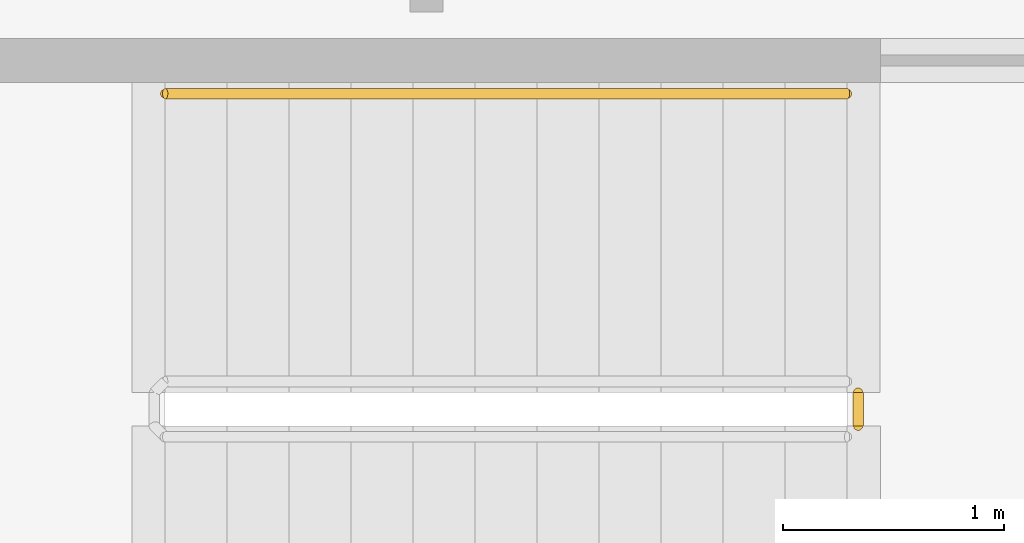
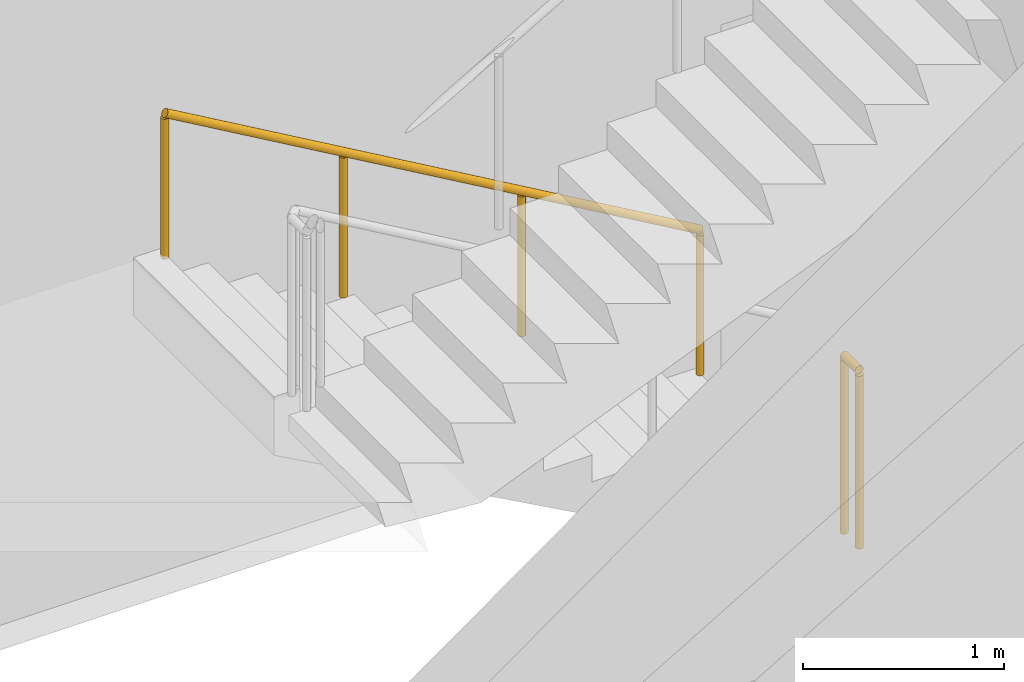
# One storey, part 20 of 23: 2 railings.
"""IFC4 building model written with IfcOpenShell, lengths in metres."""

from ifc_helpers import new_model, si_unit, direction, frame, origin, origin_2d, place, context, subcontext, project, spatial, circle, extrude, material, type_object, element, save


model = new_model("IFC4")

# Units and contexts
model_context = context("Model", 3, precision=1e-05, world=origin(), true_north=direction((0.0, 1.0)))
body_context = subcontext(model_context, "Body", "Model", "MODEL_VIEW")
ifc_project = project(units=[si_unit("LENGTHUNIT", "METRE"), si_unit("AREAUNIT", "SQUARE_METRE"), si_unit("VOLUMEUNIT", "CUBIC_METRE"), si_unit("PLANEANGLEUNIT", "RADIAN"), si_unit("MASSUNIT", "GRAM", prefix="KILO")], contexts=[model_context])

# Site, building, storey
site_placement = place(None, origin())
site = spatial("IfcSite", under=ifc_project, at=site_placement, CompositionType="ELEMENT")
building_placement = place(site_placement, origin())
building = spatial("IfcBuilding", under=site, at=building_placement, Name="Kheshtan School and Residences Tower", CompositionType="ELEMENT")
storey_placement = place(building_placement, frame((0.0, 0.0, 239.60009765625)))
storey = spatial("IfcBuildingStorey", under=building, at=storey_placement, Name="L56", CompositionType="ELEMENT", Elevation=239.60009765625)

# Railings
ifc_material_1 = material(Name="Stainless steel balustrade", Category="steel")
railing_type_1 = type_object("IfcRailingType", Name="Stair guard 1100", PredefinedType="GUARDRAIL", material=ifc_material_1)
railing_1_placement = place(storey_placement, frame((78.4599609375, 24.39990234375, 0.0)))
element("IfcRailing", 1, at=railing_1_placement, inside=storey, type_object=railing_type_1, Name="L56 ST5 stair guard 2", PredefinedType="GUARDRAIL", context=body_context, shape_type="SweptSolid", body=[
    extrude(circle(Radius=0.02392578125, at=origin_2d()), frame((0.0, 0.0, 1.076171875), z_axis=(0.0, -1.0, 0.0), x_axis=(1.0, 0.0, 0.0)), (0.0, 0.0, 1.0), 0.14990234375),
    extrude(circle(Radius=0.02099609375, at=origin_2d()), origin(), (0.0, 0.0, 1.0), 1.052001953125),
    extrude(circle(Radius=0.02099609375, at=origin_2d()), frame((0.0, -0.14990234375, 0.0)), (0.0, 0.0, 1.0), 1.052001953125),
])
ifc_material_2 = material(Name="Stainless steel handrail", Category="steel")
railing_type_2 = type_object("IfcRailingType", Name="Stair handrail 900", PredefinedType="HANDRAIL", material=ifc_material_2)
railing_2_placement = place(storey_placement, frame((78.409912109375, 25.75, 0.162353515625)))
element("IfcRailing", 2, at=railing_2_placement, inside=storey, type_object=railing_type_2, Name="L56 ST5 stair handrail 1", PredefinedType="HANDRAIL", context=body_context, shape_type="SweptSolid", body=[
    extrude(circle(Radius=0.02392578125, at=origin_2d()), frame((0.0, 0.0, 0.8759765625), z_axis=(-0.864873446163, 0.0, 0.501989962173), x_axis=(0.0, -1.0, 0.0)), (0.0, 0.0, 1.0), 3.56103515625),
    extrude(circle(Radius=0.02099609375, at=origin_2d()), origin(), (0.0, 0.0, 1.0), 0.851806640625),
    extrude(circle(Radius=0.02099609375, at=origin_2d()), frame((-1.026611328125, 0.0, 0.595947265625)), (0.0, 0.0, 1.0), 0.851806640625),
    extrude(circle(Radius=0.02099609375, at=origin_2d()), frame((-2.05322265625, 0.0, 1.191650390625)), (0.0, 0.0, 1.0), 0.851806640625),
    extrude(circle(Radius=0.02099609375, at=origin_2d()), frame((-3.079833984375, 0.0, 1.78759765625)), (0.0, 0.0, 1.0), 0.851806640625),
])

save(model, "model.ifc")
